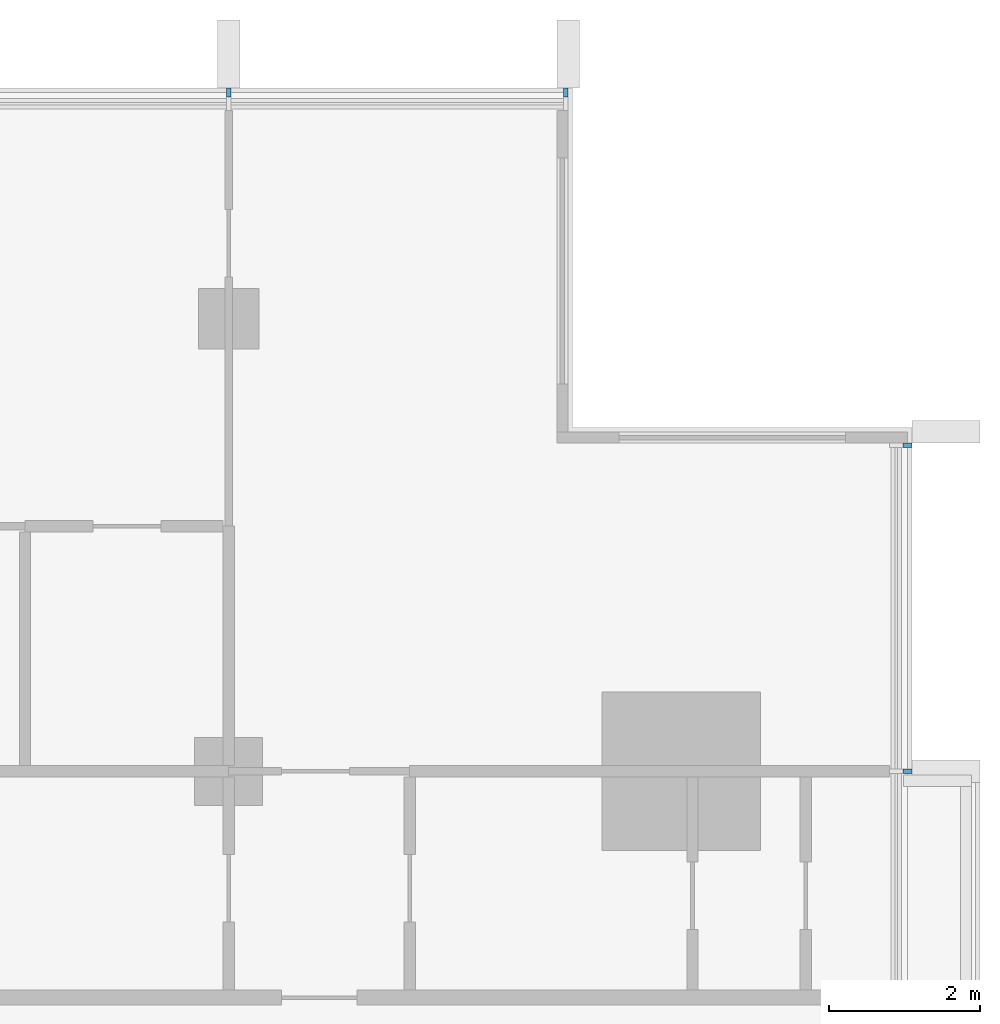
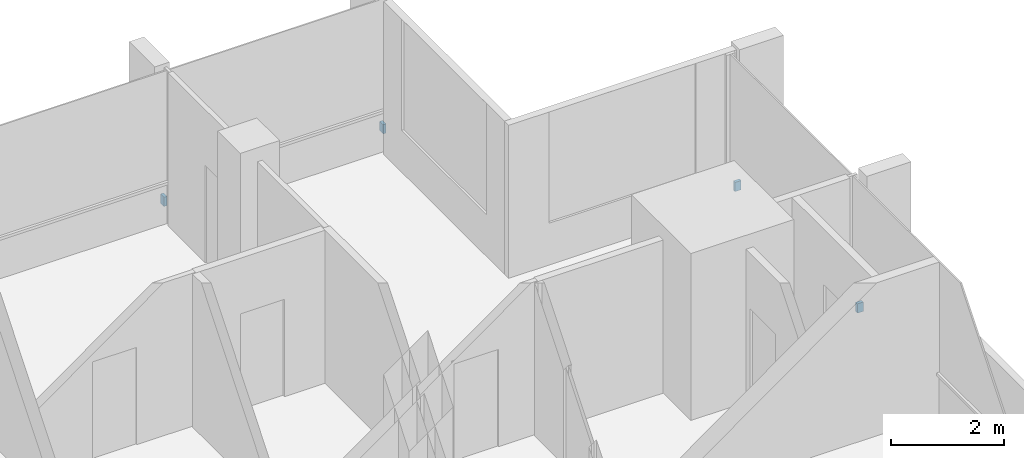
# One storey, part 15 of 16: 4 discrete accessories.
"""IFC4 building model written with IfcOpenShell, lengths in metres."""

from ifc_helpers import new_model, si_unit, direction, frame, origin, origin_2d, place, context, subcontext, project, spatial, rectangle, extrude, material, type_object, element, save


model = new_model("IFC4")

# Units and contexts
model_context = context("Model", 3, precision=1e-05, world=origin(), true_north=direction((0.0, 1.0)))
body_context = subcontext(model_context, "Body", "Model", "MODEL_VIEW")
ifc_project = project(units=[si_unit("LENGTHUNIT", "METRE"), si_unit("AREAUNIT", "SQUARE_METRE"), si_unit("VOLUMEUNIT", "CUBIC_METRE"), si_unit("PLANEANGLEUNIT", "RADIAN"), si_unit("MASSUNIT", "GRAM", prefix="KILO")], contexts=[model_context])

# Site, building, storey
site_placement = place(None, origin())
site = spatial("IfcSite", under=ifc_project, at=site_placement, CompositionType="ELEMENT")
building_placement = place(site_placement, origin())
building = spatial("IfcBuilding", under=site, at=building_placement, Name="Finial Court Residences", CompositionType="ELEMENT")
storey_placement = place(building_placement, frame((0.0, 0.0, 212.300048828125)))
storey = spatial("IfcBuildingStorey", under=building, at=storey_placement, Name="L53", CompositionType="ELEMENT", Elevation=212.300048828125)

# Discrete accessories
ifc_material = material(Name="Stainless steel 316", Category="steel")
discrete_accessory_type = type_object("IfcDiscreteAccessoryType", Name="Fin bracket, stainless steel 60 x 122 x 200", PredefinedType="BRACKET", material=ifc_material)
for number, where, z_axis, x_axis, name in (
    (1, (10.5, 16.498779296875, 0.2998046875), (0.0, 0.0, 1.0), (1.0, 0.0, 0.0), "E-L53-FIN-N5-BRK"),
    (2, (14.969970703125, 16.498779296875, 0.2998046875), (0.0, 0.0, 1.0), (1.0, 0.0, 0.0), "E-L53-FIN-N6-BRK"),
):
    element("IfcDiscreteAccessory", number, at=place(storey_placement, frame(where, z_axis=z_axis, x_axis=x_axis)), inside=storey, type_object=discrete_accessory_type, Name=name, PredefinedType="BRACKET", context=body_context, shape_type="SweptSolid", body=[
        extrude(rectangle(XDim=0.06005859375, YDim=0.12255859375, at=origin_2d()), origin(), (0.0, 0.0, 1.0), 0.199951171875),
    ])
for number, where, z_axis, x_axis, name in (
    (3, (19.498779296875, 7.5, 0.2998046875), (0.0, 0.0, 1.0), (1.0, 0.0, 0.0), "E-L53-FIN-E11-BRK"),
    (4, (19.498779296875, 11.820068359375, 0.2998046875), (0.0, 0.0, 1.0), (1.0, 0.0, 0.0), "E-L53-FIN-E12-BRK"),
):
    element("IfcDiscreteAccessory", number, at=place(storey_placement, frame(where, z_axis=z_axis, x_axis=x_axis)), inside=storey, type_object=discrete_accessory_type, Name=name, PredefinedType="BRACKET", context=body_context, shape_type="SweptSolid", body=[
        extrude(rectangle(XDim=0.12255859375, YDim=0.06005859375, at=origin_2d()), origin(), (0.0, 0.0, 1.0), 0.199951171875),
    ])

save(model, "model.ifc")
